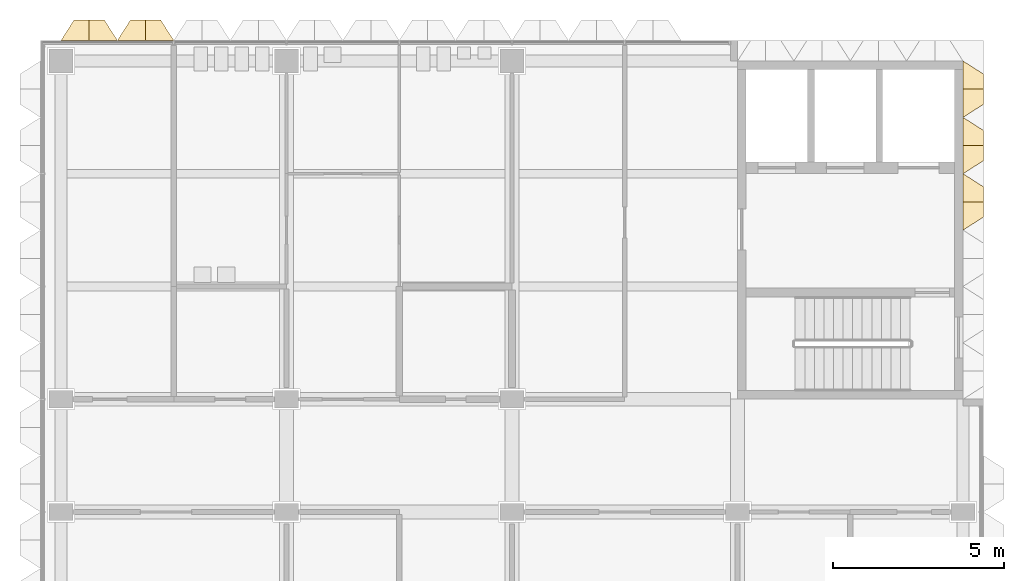
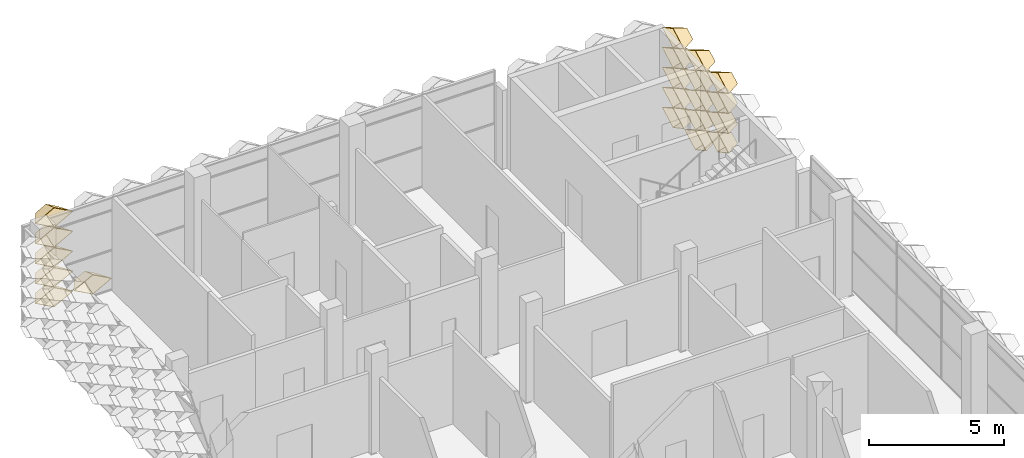
# One storey, part 24 of 29: 20 coverings.
"""IFC4 building model written with IfcOpenShell, lengths in metres."""

from ifc_helpers import new_model, entity, si_unit, direction, frame, origin, place, context, subcontext, project, spatial, material, layer, layer_set, type_object, element, save


model = new_model("IFC4")

# Units and contexts
model_context = context("Model", 3, precision=1e-05, world=origin(), true_north=direction((0.0, 1.0)))
body_context = subcontext(model_context, "Body", "Model", "MODEL_VIEW")
ifc_project = project(units=[si_unit("LENGTHUNIT", "METRE"), si_unit("AREAUNIT", "SQUARE_METRE"), si_unit("VOLUMEUNIT", "CUBIC_METRE"), si_unit("PLANEANGLEUNIT", "RADIAN"), si_unit("MASSUNIT", "GRAM", prefix="KILO")], contexts=[model_context])

# Site, building, storey
site_placement = place(None, origin())
site = spatial("IfcSite", under=ifc_project, at=site_placement, CompositionType="ELEMENT")
building_placement = place(site_placement, origin())
building = spatial("IfcBuilding", under=site, at=building_placement, Name="Lantern Court Research Institute", CompositionType="ELEMENT")
storey_placement = place(building_placement, frame((0.0, 0.0, 32.39990234375)))
storey = spatial("IfcBuildingStorey", under=building, at=storey_placement, Name="L07", CompositionType="ELEMENT", Elevation=32.39990234375)

# Coverings
ifc_material = material(Name="Anodised aluminium", Category="aluminium")
ifc_layer = layer(ifc_material, 0.01611328125)
ifc_layer_set = layer_set([ifc_layer], Name="Anodised aluminium")
covering_type = type_object("IfcCoveringType", Name="Fin cassette 1650 x 900 x 600 aluminium", PredefinedType="CLADDING", material=ifc_layer_set)
covering_1_placement = place(storey_placement, frame((79.199951171875, 20.625, 0.4501953125), z_axis=(1.0, 0.0, 0.0), x_axis=(0.0, 1.0, 0.0)))
cartesian_point_1 = entity("IfcCartesianPoint", [0.824951171875, 0.0])
cartesian_point_2 = entity("IfcCartesianPoint", [0.79150390625, 0.0])
cartesian_point_3 = entity("IfcCartesianPoint", [0.44189453125, 0.0])
cartesian_point_4 = entity("IfcCartesianPoint", [0.43359375, 0.0])
element("IfcCovering", 1, at=covering_1_placement, inside=storey, type_object=covering_type, Name="Fin cassette V5E-L07 1.13", PredefinedType="CLADDING", context=body_context, shape_type="SweptSolid", body=[
    entity("IfcExtrudedAreaSolidTapered", entity("IfcArbitraryProfileDefWithVoids", "AREA", None, entity("IfcPolyline", [cartesian_point_1, entity("IfcCartesianPoint", [0.0, 0.449951171875]), entity("IfcCartesianPoint", [-0.824951171875, 0.0]), entity("IfcCartesianPoint", [0.0, -0.449951171875]), cartesian_point_1]), [entity("IfcPolyline", [cartesian_point_2, entity("IfcCartesianPoint", [0.0, 0.431884765625]), entity("IfcCartesianPoint", [-0.79150390625, 0.0]), entity("IfcCartesianPoint", [0.0, -0.431884765625]), cartesian_point_2])]), entity("IfcAxis2Placement3D", entity("IfcCartesianPoint", [0.0, 0.0, 0.0])), entity("IfcDirection", [0.0, 0.0, 1.0]), 0.60009765625, entity("IfcArbitraryProfileDefWithVoids", "AREA", None, entity("IfcPolyline", [cartesian_point_3, entity("IfcCartesianPoint", [0.0, 0.240966796875]), entity("IfcCartesianPoint", [-0.44189453125, 0.0]), entity("IfcCartesianPoint", [0.0, -0.240966796875]), cartesian_point_3]), [entity("IfcPolyline", [cartesian_point_4, entity("IfcCartesianPoint", [0.0, 0.236572265625]), entity("IfcCartesianPoint", [-0.43359375, 0.0]), entity("IfcCartesianPoint", [0.0, -0.236572265625]), cartesian_point_4])])),
])
covering_2_placement = place(storey_placement, frame((79.199951171875, 22.27490234375, 0.4501953125), z_axis=(1.0, 0.0, 0.0), x_axis=(0.0, 1.0, 0.0)))
cartesian_point_5 = entity("IfcCartesianPoint", [0.824951171875, 0.0])
cartesian_point_6 = entity("IfcCartesianPoint", [0.79150390625, 0.0])
cartesian_point_7 = entity("IfcCartesianPoint", [0.44189453125, 0.0])
cartesian_point_8 = entity("IfcCartesianPoint", [0.43359375, 0.0])
element("IfcCovering", 2, at=covering_2_placement, inside=storey, type_object=covering_type, Name="Fin cassette V5E-L07 1.14", PredefinedType="CLADDING", context=body_context, shape_type="SweptSolid", body=[
    entity("IfcExtrudedAreaSolidTapered", entity("IfcArbitraryProfileDefWithVoids", "AREA", None, entity("IfcPolyline", [cartesian_point_5, entity("IfcCartesianPoint", [0.0, 0.449951171875]), entity("IfcCartesianPoint", [-0.824951171875, 0.0]), entity("IfcCartesianPoint", [0.0, -0.449951171875]), cartesian_point_5]), [entity("IfcPolyline", [cartesian_point_6, entity("IfcCartesianPoint", [0.0, 0.431884765625]), entity("IfcCartesianPoint", [-0.79150390625, 0.0]), entity("IfcCartesianPoint", [0.0, -0.431884765625]), cartesian_point_6])]), entity("IfcAxis2Placement3D", entity("IfcCartesianPoint", [0.0, 0.0, 0.0])), entity("IfcDirection", [0.0, 0.0, 1.0]), 0.60009765625, entity("IfcArbitraryProfileDefWithVoids", "AREA", None, entity("IfcPolyline", [cartesian_point_7, entity("IfcCartesianPoint", [0.0, 0.240966796875]), entity("IfcCartesianPoint", [-0.44189453125, 0.0]), entity("IfcCartesianPoint", [0.0, -0.240966796875]), cartesian_point_7]), [entity("IfcPolyline", [cartesian_point_8, entity("IfcCartesianPoint", [0.0, 0.236572265625]), entity("IfcCartesianPoint", [-0.43359375, 0.0]), entity("IfcCartesianPoint", [0.0, -0.236572265625]), cartesian_point_8])])),
])
covering_3_placement = place(storey_placement, frame((79.199951171875, 18.97509765625, 1.35009765625), z_axis=(1.0, 0.0, 0.0), x_axis=(0.0, 1.0, 0.0)))
cartesian_point_9 = entity("IfcCartesianPoint", [0.824951171875, 0.0])
cartesian_point_10 = entity("IfcCartesianPoint", [0.79150390625, 0.0])
cartesian_point_11 = entity("IfcCartesianPoint", [0.44189453125, 0.0])
cartesian_point_12 = entity("IfcCartesianPoint", [0.43359375, 0.0])
element("IfcCovering", 3, at=covering_3_placement, inside=storey, type_object=covering_type, Name="Fin cassette V5E-L07 2.12", PredefinedType="CLADDING", context=body_context, shape_type="SweptSolid", body=[
    entity("IfcExtrudedAreaSolidTapered", entity("IfcArbitraryProfileDefWithVoids", "AREA", None, entity("IfcPolyline", [cartesian_point_9, entity("IfcCartesianPoint", [0.0, 0.449951171875]), entity("IfcCartesianPoint", [-0.824951171875, 0.0]), entity("IfcCartesianPoint", [0.0, -0.449951171875]), cartesian_point_9]), [entity("IfcPolyline", [cartesian_point_10, entity("IfcCartesianPoint", [0.0, 0.431884765625]), entity("IfcCartesianPoint", [-0.79150390625, 0.0]), entity("IfcCartesianPoint", [0.0, -0.431884765625]), cartesian_point_10])]), entity("IfcAxis2Placement3D", entity("IfcCartesianPoint", [0.0, 0.0, 0.0])), entity("IfcDirection", [0.0, 0.0, 1.0]), 0.60009765625, entity("IfcArbitraryProfileDefWithVoids", "AREA", None, entity("IfcPolyline", [cartesian_point_11, entity("IfcCartesianPoint", [0.0, 0.240966796875]), entity("IfcCartesianPoint", [-0.44189453125, 0.0]), entity("IfcCartesianPoint", [0.0, -0.240966796875]), cartesian_point_11]), [entity("IfcPolyline", [cartesian_point_12, entity("IfcCartesianPoint", [0.0, 0.236572265625]), entity("IfcCartesianPoint", [-0.43359375, 0.0]), entity("IfcCartesianPoint", [0.0, -0.236572265625]), cartesian_point_12])])),
])
covering_4_placement = place(storey_placement, frame((79.199951171875, 20.625, 1.35009765625), z_axis=(1.0, 0.0, 0.0), x_axis=(0.0, 1.0, 0.0)))
cartesian_point_13 = entity("IfcCartesianPoint", [0.824951171875, 0.0])
cartesian_point_14 = entity("IfcCartesianPoint", [0.79150390625, 0.0])
cartesian_point_15 = entity("IfcCartesianPoint", [0.44189453125, 0.0])
cartesian_point_16 = entity("IfcCartesianPoint", [0.43359375, 0.0])
element("IfcCovering", 4, at=covering_4_placement, inside=storey, type_object=covering_type, Name="Fin cassette V5E-L07 2.13", PredefinedType="CLADDING", context=body_context, shape_type="SweptSolid", body=[
    entity("IfcExtrudedAreaSolidTapered", entity("IfcArbitraryProfileDefWithVoids", "AREA", None, entity("IfcPolyline", [cartesian_point_13, entity("IfcCartesianPoint", [0.0, 0.449951171875]), entity("IfcCartesianPoint", [-0.824951171875, 0.0]), entity("IfcCartesianPoint", [0.0, -0.449951171875]), cartesian_point_13]), [entity("IfcPolyline", [cartesian_point_14, entity("IfcCartesianPoint", [0.0, 0.431884765625]), entity("IfcCartesianPoint", [-0.79150390625, 0.0]), entity("IfcCartesianPoint", [0.0, -0.431884765625]), cartesian_point_14])]), entity("IfcAxis2Placement3D", entity("IfcCartesianPoint", [0.0, 0.0, 0.0])), entity("IfcDirection", [0.0, 0.0, 1.0]), 0.60009765625, entity("IfcArbitraryProfileDefWithVoids", "AREA", None, entity("IfcPolyline", [cartesian_point_15, entity("IfcCartesianPoint", [0.0, 0.240966796875]), entity("IfcCartesianPoint", [-0.44189453125, 0.0]), entity("IfcCartesianPoint", [0.0, -0.240966796875]), cartesian_point_15]), [entity("IfcPolyline", [cartesian_point_16, entity("IfcCartesianPoint", [0.0, 0.236572265625]), entity("IfcCartesianPoint", [-0.43359375, 0.0]), entity("IfcCartesianPoint", [0.0, -0.236572265625]), cartesian_point_16])])),
])
covering_5_placement = place(storey_placement, frame((79.199951171875, 22.27490234375, 1.35009765625), z_axis=(1.0, 0.0, 0.0), x_axis=(0.0, 1.0, 0.0)))
cartesian_point_17 = entity("IfcCartesianPoint", [0.824951171875, 0.0])
cartesian_point_18 = entity("IfcCartesianPoint", [0.79150390625, 0.0])
cartesian_point_19 = entity("IfcCartesianPoint", [0.44189453125, 0.0])
cartesian_point_20 = entity("IfcCartesianPoint", [0.43359375, 0.0])
element("IfcCovering", 5, at=covering_5_placement, inside=storey, type_object=covering_type, Name="Fin cassette V5E-L07 2.14", PredefinedType="CLADDING", context=body_context, shape_type="SweptSolid", body=[
    entity("IfcExtrudedAreaSolidTapered", entity("IfcArbitraryProfileDefWithVoids", "AREA", None, entity("IfcPolyline", [cartesian_point_17, entity("IfcCartesianPoint", [0.0, 0.449951171875]), entity("IfcCartesianPoint", [-0.824951171875, 0.0]), entity("IfcCartesianPoint", [0.0, -0.449951171875]), cartesian_point_17]), [entity("IfcPolyline", [cartesian_point_18, entity("IfcCartesianPoint", [0.0, 0.431884765625]), entity("IfcCartesianPoint", [-0.79150390625, 0.0]), entity("IfcCartesianPoint", [0.0, -0.431884765625]), cartesian_point_18])]), entity("IfcAxis2Placement3D", entity("IfcCartesianPoint", [0.0, 0.0, 0.0])), entity("IfcDirection", [0.0, 0.0, 1.0]), 0.60009765625, entity("IfcArbitraryProfileDefWithVoids", "AREA", None, entity("IfcPolyline", [cartesian_point_19, entity("IfcCartesianPoint", [0.0, 0.240966796875]), entity("IfcCartesianPoint", [-0.44189453125, 0.0]), entity("IfcCartesianPoint", [0.0, -0.240966796875]), cartesian_point_19]), [entity("IfcPolyline", [cartesian_point_20, entity("IfcCartesianPoint", [0.0, 0.236572265625]), entity("IfcCartesianPoint", [-0.43359375, 0.0]), entity("IfcCartesianPoint", [0.0, -0.236572265625]), cartesian_point_20])])),
])
covering_6_placement = place(storey_placement, frame((79.199951171875, 18.97509765625, 2.25), z_axis=(1.0, 0.0, 0.0), x_axis=(0.0, 1.0, 0.0)))
cartesian_point_21 = entity("IfcCartesianPoint", [0.824951171875, 0.0])
cartesian_point_22 = entity("IfcCartesianPoint", [0.79150390625, 0.0])
cartesian_point_23 = entity("IfcCartesianPoint", [0.44189453125, 0.0])
cartesian_point_24 = entity("IfcCartesianPoint", [0.43359375, 0.0])
element("IfcCovering", 6, at=covering_6_placement, inside=storey, type_object=covering_type, Name="Fin cassette V5E-L07 3.12", PredefinedType="CLADDING", context=body_context, shape_type="SweptSolid", body=[
    entity("IfcExtrudedAreaSolidTapered", entity("IfcArbitraryProfileDefWithVoids", "AREA", None, entity("IfcPolyline", [cartesian_point_21, entity("IfcCartesianPoint", [0.0, 0.449951171875]), entity("IfcCartesianPoint", [-0.824951171875, 0.0]), entity("IfcCartesianPoint", [0.0, -0.449951171875]), cartesian_point_21]), [entity("IfcPolyline", [cartesian_point_22, entity("IfcCartesianPoint", [0.0, 0.431884765625]), entity("IfcCartesianPoint", [-0.79150390625, 0.0]), entity("IfcCartesianPoint", [0.0, -0.431884765625]), cartesian_point_22])]), entity("IfcAxis2Placement3D", entity("IfcCartesianPoint", [0.0, 0.0, 0.0])), entity("IfcDirection", [0.0, 0.0, 1.0]), 0.60009765625, entity("IfcArbitraryProfileDefWithVoids", "AREA", None, entity("IfcPolyline", [cartesian_point_23, entity("IfcCartesianPoint", [0.0, 0.240966796875]), entity("IfcCartesianPoint", [-0.44189453125, 0.0]), entity("IfcCartesianPoint", [0.0, -0.240966796875]), cartesian_point_23]), [entity("IfcPolyline", [cartesian_point_24, entity("IfcCartesianPoint", [0.0, 0.236572265625]), entity("IfcCartesianPoint", [-0.43359375, 0.0]), entity("IfcCartesianPoint", [0.0, -0.236572265625]), cartesian_point_24])])),
])
covering_7_placement = place(storey_placement, frame((79.199951171875, 20.625, 2.25), z_axis=(1.0, 0.0, 0.0), x_axis=(0.0, 1.0, 0.0)))
cartesian_point_25 = entity("IfcCartesianPoint", [0.824951171875, 0.0])
cartesian_point_26 = entity("IfcCartesianPoint", [0.79150390625, 0.0])
cartesian_point_27 = entity("IfcCartesianPoint", [0.44189453125, 0.0])
cartesian_point_28 = entity("IfcCartesianPoint", [0.43359375, 0.0])
element("IfcCovering", 7, at=covering_7_placement, inside=storey, type_object=covering_type, Name="Fin cassette V5E-L07 3.13", PredefinedType="CLADDING", context=body_context, shape_type="SweptSolid", body=[
    entity("IfcExtrudedAreaSolidTapered", entity("IfcArbitraryProfileDefWithVoids", "AREA", None, entity("IfcPolyline", [cartesian_point_25, entity("IfcCartesianPoint", [0.0, 0.449951171875]), entity("IfcCartesianPoint", [-0.824951171875, 0.0]), entity("IfcCartesianPoint", [0.0, -0.449951171875]), cartesian_point_25]), [entity("IfcPolyline", [cartesian_point_26, entity("IfcCartesianPoint", [0.0, 0.431884765625]), entity("IfcCartesianPoint", [-0.79150390625, 0.0]), entity("IfcCartesianPoint", [0.0, -0.431884765625]), cartesian_point_26])]), entity("IfcAxis2Placement3D", entity("IfcCartesianPoint", [0.0, 0.0, 0.0])), entity("IfcDirection", [0.0, 0.0, 1.0]), 0.60009765625, entity("IfcArbitraryProfileDefWithVoids", "AREA", None, entity("IfcPolyline", [cartesian_point_27, entity("IfcCartesianPoint", [0.0, 0.240966796875]), entity("IfcCartesianPoint", [-0.44189453125, 0.0]), entity("IfcCartesianPoint", [0.0, -0.240966796875]), cartesian_point_27]), [entity("IfcPolyline", [cartesian_point_28, entity("IfcCartesianPoint", [0.0, 0.236572265625]), entity("IfcCartesianPoint", [-0.43359375, 0.0]), entity("IfcCartesianPoint", [0.0, -0.236572265625]), cartesian_point_28])])),
])
covering_8_placement = place(storey_placement, frame((79.199951171875, 22.27490234375, 2.25), z_axis=(1.0, 0.0, 0.0), x_axis=(0.0, 1.0, 0.0)))
cartesian_point_29 = entity("IfcCartesianPoint", [0.824951171875, 0.0])
cartesian_point_30 = entity("IfcCartesianPoint", [0.79150390625, 0.0])
cartesian_point_31 = entity("IfcCartesianPoint", [0.44189453125, 0.0])
cartesian_point_32 = entity("IfcCartesianPoint", [0.43359375, 0.0])
element("IfcCovering", 8, at=covering_8_placement, inside=storey, type_object=covering_type, Name="Fin cassette V5E-L07 3.14", PredefinedType="CLADDING", context=body_context, shape_type="SweptSolid", body=[
    entity("IfcExtrudedAreaSolidTapered", entity("IfcArbitraryProfileDefWithVoids", "AREA", None, entity("IfcPolyline", [cartesian_point_29, entity("IfcCartesianPoint", [0.0, 0.449951171875]), entity("IfcCartesianPoint", [-0.824951171875, 0.0]), entity("IfcCartesianPoint", [0.0, -0.449951171875]), cartesian_point_29]), [entity("IfcPolyline", [cartesian_point_30, entity("IfcCartesianPoint", [0.0, 0.431884765625]), entity("IfcCartesianPoint", [-0.79150390625, 0.0]), entity("IfcCartesianPoint", [0.0, -0.431884765625]), cartesian_point_30])]), entity("IfcAxis2Placement3D", entity("IfcCartesianPoint", [0.0, 0.0, 0.0])), entity("IfcDirection", [0.0, 0.0, 1.0]), 0.60009765625, entity("IfcArbitraryProfileDefWithVoids", "AREA", None, entity("IfcPolyline", [cartesian_point_31, entity("IfcCartesianPoint", [0.0, 0.240966796875]), entity("IfcCartesianPoint", [-0.44189453125, 0.0]), entity("IfcCartesianPoint", [0.0, -0.240966796875]), cartesian_point_31]), [entity("IfcPolyline", [cartesian_point_32, entity("IfcCartesianPoint", [0.0, 0.236572265625]), entity("IfcCartesianPoint", [-0.43359375, 0.0]), entity("IfcCartesianPoint", [0.0, -0.236572265625]), cartesian_point_32])])),
])
covering_9_placement = place(storey_placement, frame((79.199951171875, 18.97509765625, 3.150146484375), z_axis=(1.0, 0.0, 0.0), x_axis=(0.0, 1.0, 0.0)))
cartesian_point_33 = entity("IfcCartesianPoint", [0.824951171875, 0.0])
cartesian_point_34 = entity("IfcCartesianPoint", [0.79150390625, 0.0])
cartesian_point_35 = entity("IfcCartesianPoint", [0.44189453125, 0.0])
cartesian_point_36 = entity("IfcCartesianPoint", [0.43359375, 0.0])
element("IfcCovering", 9, at=covering_9_placement, inside=storey, type_object=covering_type, Name="Fin cassette V5E-L07 4.12", PredefinedType="CLADDING", context=body_context, shape_type="SweptSolid", body=[
    entity("IfcExtrudedAreaSolidTapered", entity("IfcArbitraryProfileDefWithVoids", "AREA", None, entity("IfcPolyline", [cartesian_point_33, entity("IfcCartesianPoint", [0.0, 0.449951171875]), entity("IfcCartesianPoint", [-0.824951171875, 0.0]), entity("IfcCartesianPoint", [0.0, -0.449951171875]), cartesian_point_33]), [entity("IfcPolyline", [cartesian_point_34, entity("IfcCartesianPoint", [0.0, 0.431884765625]), entity("IfcCartesianPoint", [-0.79150390625, 0.0]), entity("IfcCartesianPoint", [0.0, -0.431884765625]), cartesian_point_34])]), entity("IfcAxis2Placement3D", entity("IfcCartesianPoint", [0.0, 0.0, 0.0])), entity("IfcDirection", [0.0, 0.0, 1.0]), 0.60009765625, entity("IfcArbitraryProfileDefWithVoids", "AREA", None, entity("IfcPolyline", [cartesian_point_35, entity("IfcCartesianPoint", [0.0, 0.240966796875]), entity("IfcCartesianPoint", [-0.44189453125, 0.0]), entity("IfcCartesianPoint", [0.0, -0.240966796875]), cartesian_point_35]), [entity("IfcPolyline", [cartesian_point_36, entity("IfcCartesianPoint", [0.0, 0.236572265625]), entity("IfcCartesianPoint", [-0.43359375, 0.0]), entity("IfcCartesianPoint", [0.0, -0.236572265625]), cartesian_point_36])])),
])
covering_10_placement = place(storey_placement, frame((79.199951171875, 20.625, 3.150146484375), z_axis=(1.0, 0.0, 0.0), x_axis=(0.0, 1.0, 0.0)))
cartesian_point_37 = entity("IfcCartesianPoint", [0.824951171875, 0.0])
cartesian_point_38 = entity("IfcCartesianPoint", [0.79150390625, 0.0])
cartesian_point_39 = entity("IfcCartesianPoint", [0.44189453125, 0.0])
cartesian_point_40 = entity("IfcCartesianPoint", [0.43359375, 0.0])
element("IfcCovering", 10, at=covering_10_placement, inside=storey, type_object=covering_type, Name="Fin cassette V5E-L07 4.13", PredefinedType="CLADDING", context=body_context, shape_type="SweptSolid", body=[
    entity("IfcExtrudedAreaSolidTapered", entity("IfcArbitraryProfileDefWithVoids", "AREA", None, entity("IfcPolyline", [cartesian_point_37, entity("IfcCartesianPoint", [0.0, 0.449951171875]), entity("IfcCartesianPoint", [-0.824951171875, 0.0]), entity("IfcCartesianPoint", [0.0, -0.449951171875]), cartesian_point_37]), [entity("IfcPolyline", [cartesian_point_38, entity("IfcCartesianPoint", [0.0, 0.431884765625]), entity("IfcCartesianPoint", [-0.79150390625, 0.0]), entity("IfcCartesianPoint", [0.0, -0.431884765625]), cartesian_point_38])]), entity("IfcAxis2Placement3D", entity("IfcCartesianPoint", [0.0, 0.0, 0.0])), entity("IfcDirection", [0.0, 0.0, 1.0]), 0.60009765625, entity("IfcArbitraryProfileDefWithVoids", "AREA", None, entity("IfcPolyline", [cartesian_point_39, entity("IfcCartesianPoint", [0.0, 0.240966796875]), entity("IfcCartesianPoint", [-0.44189453125, 0.0]), entity("IfcCartesianPoint", [0.0, -0.240966796875]), cartesian_point_39]), [entity("IfcPolyline", [cartesian_point_40, entity("IfcCartesianPoint", [0.0, 0.236572265625]), entity("IfcCartesianPoint", [-0.43359375, 0.0]), entity("IfcCartesianPoint", [0.0, -0.236572265625]), cartesian_point_40])])),
])
covering_11_placement = place(storey_placement, frame((79.199951171875, 22.27490234375, 3.150146484375), z_axis=(1.0, 0.0, 0.0), x_axis=(0.0, 1.0, 0.0)))
cartesian_point_41 = entity("IfcCartesianPoint", [0.824951171875, 0.0])
cartesian_point_42 = entity("IfcCartesianPoint", [0.79150390625, 0.0])
cartesian_point_43 = entity("IfcCartesianPoint", [0.44189453125, 0.0])
cartesian_point_44 = entity("IfcCartesianPoint", [0.43359375, 0.0])
element("IfcCovering", 11, at=covering_11_placement, inside=storey, type_object=covering_type, Name="Fin cassette V5E-L07 4.14", PredefinedType="CLADDING", context=body_context, shape_type="SweptSolid", body=[
    entity("IfcExtrudedAreaSolidTapered", entity("IfcArbitraryProfileDefWithVoids", "AREA", None, entity("IfcPolyline", [cartesian_point_41, entity("IfcCartesianPoint", [0.0, 0.449951171875]), entity("IfcCartesianPoint", [-0.824951171875, 0.0]), entity("IfcCartesianPoint", [0.0, -0.449951171875]), cartesian_point_41]), [entity("IfcPolyline", [cartesian_point_42, entity("IfcCartesianPoint", [0.0, 0.431884765625]), entity("IfcCartesianPoint", [-0.79150390625, 0.0]), entity("IfcCartesianPoint", [0.0, -0.431884765625]), cartesian_point_42])]), entity("IfcAxis2Placement3D", entity("IfcCartesianPoint", [0.0, 0.0, 0.0])), entity("IfcDirection", [0.0, 0.0, 1.0]), 0.60009765625, entity("IfcArbitraryProfileDefWithVoids", "AREA", None, entity("IfcPolyline", [cartesian_point_43, entity("IfcCartesianPoint", [0.0, 0.240966796875]), entity("IfcCartesianPoint", [-0.44189453125, 0.0]), entity("IfcCartesianPoint", [0.0, -0.240966796875]), cartesian_point_43]), [entity("IfcPolyline", [cartesian_point_44, entity("IfcCartesianPoint", [0.0, 0.236572265625]), entity("IfcCartesianPoint", [-0.43359375, 0.0]), entity("IfcCartesianPoint", [0.0, -0.236572265625]), cartesian_point_44])])),
])
covering_12_placement = place(storey_placement, frame((79.199951171875, 18.97509765625, 4.050048828125), z_axis=(1.0, 0.0, 0.0), x_axis=(0.0, 1.0, 0.0)))
cartesian_point_45 = entity("IfcCartesianPoint", [0.824951171875, 0.0])
cartesian_point_46 = entity("IfcCartesianPoint", [0.79150390625, 0.0])
cartesian_point_47 = entity("IfcCartesianPoint", [0.44189453125, 0.0])
cartesian_point_48 = entity("IfcCartesianPoint", [0.43359375, 0.0])
element("IfcCovering", 12, at=covering_12_placement, inside=storey, type_object=covering_type, Name="Fin cassette V5E-L07 5.12", PredefinedType="CLADDING", context=body_context, shape_type="SweptSolid", body=[
    entity("IfcExtrudedAreaSolidTapered", entity("IfcArbitraryProfileDefWithVoids", "AREA", None, entity("IfcPolyline", [cartesian_point_45, entity("IfcCartesianPoint", [0.0, 0.449951171875]), entity("IfcCartesianPoint", [-0.824951171875, 0.0]), entity("IfcCartesianPoint", [0.0, -0.449951171875]), cartesian_point_45]), [entity("IfcPolyline", [cartesian_point_46, entity("IfcCartesianPoint", [0.0, 0.431884765625]), entity("IfcCartesianPoint", [-0.79150390625, 0.0]), entity("IfcCartesianPoint", [0.0, -0.431884765625]), cartesian_point_46])]), entity("IfcAxis2Placement3D", entity("IfcCartesianPoint", [0.0, 0.0, 0.0])), entity("IfcDirection", [0.0, 0.0, 1.0]), 0.60009765625, entity("IfcArbitraryProfileDefWithVoids", "AREA", None, entity("IfcPolyline", [cartesian_point_47, entity("IfcCartesianPoint", [0.0, 0.240966796875]), entity("IfcCartesianPoint", [-0.44189453125, 0.0]), entity("IfcCartesianPoint", [0.0, -0.240966796875]), cartesian_point_47]), [entity("IfcPolyline", [cartesian_point_48, entity("IfcCartesianPoint", [0.0, 0.236572265625]), entity("IfcCartesianPoint", [-0.43359375, 0.0]), entity("IfcCartesianPoint", [0.0, -0.236572265625]), cartesian_point_48])])),
])
covering_13_placement = place(storey_placement, frame((79.199951171875, 20.625, 4.050048828125), z_axis=(1.0, 0.0, 0.0), x_axis=(0.0, 1.0, 0.0)))
cartesian_point_49 = entity("IfcCartesianPoint", [0.824951171875, 0.0])
cartesian_point_50 = entity("IfcCartesianPoint", [0.79150390625, 0.0])
cartesian_point_51 = entity("IfcCartesianPoint", [0.44189453125, 0.0])
cartesian_point_52 = entity("IfcCartesianPoint", [0.43359375, 0.0])
element("IfcCovering", 13, at=covering_13_placement, inside=storey, type_object=covering_type, Name="Fin cassette V5E-L07 5.13", PredefinedType="CLADDING", context=body_context, shape_type="SweptSolid", body=[
    entity("IfcExtrudedAreaSolidTapered", entity("IfcArbitraryProfileDefWithVoids", "AREA", None, entity("IfcPolyline", [cartesian_point_49, entity("IfcCartesianPoint", [0.0, 0.449951171875]), entity("IfcCartesianPoint", [-0.824951171875, 0.0]), entity("IfcCartesianPoint", [0.0, -0.449951171875]), cartesian_point_49]), [entity("IfcPolyline", [cartesian_point_50, entity("IfcCartesianPoint", [0.0, 0.431884765625]), entity("IfcCartesianPoint", [-0.79150390625, 0.0]), entity("IfcCartesianPoint", [0.0, -0.431884765625]), cartesian_point_50])]), entity("IfcAxis2Placement3D", entity("IfcCartesianPoint", [0.0, 0.0, 0.0])), entity("IfcDirection", [0.0, 0.0, 1.0]), 0.60009765625, entity("IfcArbitraryProfileDefWithVoids", "AREA", None, entity("IfcPolyline", [cartesian_point_51, entity("IfcCartesianPoint", [0.0, 0.240966796875]), entity("IfcCartesianPoint", [-0.44189453125, 0.0]), entity("IfcCartesianPoint", [0.0, -0.240966796875]), cartesian_point_51]), [entity("IfcPolyline", [cartesian_point_52, entity("IfcCartesianPoint", [0.0, 0.236572265625]), entity("IfcCartesianPoint", [-0.43359375, 0.0]), entity("IfcCartesianPoint", [0.0, -0.236572265625]), cartesian_point_52])])),
])
covering_14_placement = place(storey_placement, frame((79.199951171875, 22.27490234375, 4.050048828125), z_axis=(1.0, 0.0, 0.0), x_axis=(0.0, 1.0, 0.0)))
cartesian_point_53 = entity("IfcCartesianPoint", [0.824951171875, 0.0])
cartesian_point_54 = entity("IfcCartesianPoint", [0.79150390625, 0.0])
cartesian_point_55 = entity("IfcCartesianPoint", [0.44189453125, 0.0])
cartesian_point_56 = entity("IfcCartesianPoint", [0.43359375, 0.0])
element("IfcCovering", 14, at=covering_14_placement, inside=storey, type_object=covering_type, Name="Fin cassette V5E-L07 5.14", PredefinedType="CLADDING", context=body_context, shape_type="SweptSolid", body=[
    entity("IfcExtrudedAreaSolidTapered", entity("IfcArbitraryProfileDefWithVoids", "AREA", None, entity("IfcPolyline", [cartesian_point_53, entity("IfcCartesianPoint", [0.0, 0.449951171875]), entity("IfcCartesianPoint", [-0.824951171875, 0.0]), entity("IfcCartesianPoint", [0.0, -0.449951171875]), cartesian_point_53]), [entity("IfcPolyline", [cartesian_point_54, entity("IfcCartesianPoint", [0.0, 0.431884765625]), entity("IfcCartesianPoint", [-0.79150390625, 0.0]), entity("IfcCartesianPoint", [0.0, -0.431884765625]), cartesian_point_54])]), entity("IfcAxis2Placement3D", entity("IfcCartesianPoint", [0.0, 0.0, 0.0])), entity("IfcDirection", [0.0, 0.0, 1.0]), 0.60009765625, entity("IfcArbitraryProfileDefWithVoids", "AREA", None, entity("IfcPolyline", [cartesian_point_55, entity("IfcCartesianPoint", [0.0, 0.240966796875]), entity("IfcCartesianPoint", [-0.44189453125, 0.0]), entity("IfcCartesianPoint", [0.0, -0.240966796875]), cartesian_point_55]), [entity("IfcPolyline", [cartesian_point_56, entity("IfcCartesianPoint", [0.0, 0.236572265625]), entity("IfcCartesianPoint", [-0.43359375, 0.0]), entity("IfcCartesianPoint", [0.0, -0.236572265625]), cartesian_point_56])])),
])
covering_15_placement = place(storey_placement, frame((53.625, 23.699951171875, 0.4501953125), z_axis=(0.0, 1.0, 0.0), x_axis=(-1.0, 0.0, 0.0)))
cartesian_point_57 = entity("IfcCartesianPoint", [0.824951171875, 0.0])
cartesian_point_58 = entity("IfcCartesianPoint", [0.79150390625, 0.0])
cartesian_point_59 = entity("IfcCartesianPoint", [0.44189453125, 0.0])
cartesian_point_60 = entity("IfcCartesianPoint", [0.43359375, 0.0])
element("IfcCovering", 15, at=covering_15_placement, inside=storey, type_object=covering_type, Name="Fin cassette V5N-L07 1.33", PredefinedType="CLADDING", context=body_context, shape_type="SweptSolid", body=[
    entity("IfcExtrudedAreaSolidTapered", entity("IfcArbitraryProfileDefWithVoids", "AREA", None, entity("IfcPolyline", [cartesian_point_57, entity("IfcCartesianPoint", [0.0, 0.449951171875]), entity("IfcCartesianPoint", [-0.824951171875, 0.0]), entity("IfcCartesianPoint", [0.0, -0.449951171875]), cartesian_point_57]), [entity("IfcPolyline", [cartesian_point_58, entity("IfcCartesianPoint", [0.0, 0.431884765625]), entity("IfcCartesianPoint", [-0.79150390625, 0.0]), entity("IfcCartesianPoint", [0.0, -0.431884765625]), cartesian_point_58])]), entity("IfcAxis2Placement3D", entity("IfcCartesianPoint", [0.0, 0.0, 0.0])), entity("IfcDirection", [0.0, 0.0, 1.0]), 0.60009765625, entity("IfcArbitraryProfileDefWithVoids", "AREA", None, entity("IfcPolyline", [cartesian_point_59, entity("IfcCartesianPoint", [0.0, 0.240966796875]), entity("IfcCartesianPoint", [-0.44189453125, 0.0]), entity("IfcCartesianPoint", [0.0, -0.240966796875]), cartesian_point_59]), [entity("IfcPolyline", [cartesian_point_60, entity("IfcCartesianPoint", [0.0, 0.236572265625]), entity("IfcCartesianPoint", [-0.43359375, 0.0]), entity("IfcCartesianPoint", [0.0, -0.236572265625]), cartesian_point_60])])),
])
covering_16_placement = place(storey_placement, frame((55.27490234375, 23.699951171875, 0.4501953125), z_axis=(0.0, 1.0, 0.0), x_axis=(-1.0, 0.0, 0.0)))
cartesian_point_61 = entity("IfcCartesianPoint", [0.824951171875, 0.0])
cartesian_point_62 = entity("IfcCartesianPoint", [0.79150390625, 0.0])
cartesian_point_63 = entity("IfcCartesianPoint", [0.44189453125, 0.0])
cartesian_point_64 = entity("IfcCartesianPoint", [0.43359375, 0.0])
element("IfcCovering", 16, at=covering_16_placement, inside=storey, type_object=covering_type, Name="Fin cassette V5N-L07 1.34", PredefinedType="CLADDING", context=body_context, shape_type="SweptSolid", body=[
    entity("IfcExtrudedAreaSolidTapered", entity("IfcArbitraryProfileDefWithVoids", "AREA", None, entity("IfcPolyline", [cartesian_point_61, entity("IfcCartesianPoint", [0.0, 0.449951171875]), entity("IfcCartesianPoint", [-0.824951171875, 0.0]), entity("IfcCartesianPoint", [0.0, -0.449951171875]), cartesian_point_61]), [entity("IfcPolyline", [cartesian_point_62, entity("IfcCartesianPoint", [0.0, 0.431884765625]), entity("IfcCartesianPoint", [-0.79150390625, 0.0]), entity("IfcCartesianPoint", [0.0, -0.431884765625]), cartesian_point_62])]), entity("IfcAxis2Placement3D", entity("IfcCartesianPoint", [0.0, 0.0, 0.0])), entity("IfcDirection", [0.0, 0.0, 1.0]), 0.60009765625, entity("IfcArbitraryProfileDefWithVoids", "AREA", None, entity("IfcPolyline", [cartesian_point_63, entity("IfcCartesianPoint", [0.0, 0.240966796875]), entity("IfcCartesianPoint", [-0.44189453125, 0.0]), entity("IfcCartesianPoint", [0.0, -0.240966796875]), cartesian_point_63]), [entity("IfcPolyline", [cartesian_point_64, entity("IfcCartesianPoint", [0.0, 0.236572265625]), entity("IfcCartesianPoint", [-0.43359375, 0.0]), entity("IfcCartesianPoint", [0.0, -0.236572265625]), cartesian_point_64])])),
])
covering_17_placement = place(storey_placement, frame((53.625, 23.699951171875, 1.35009765625), z_axis=(0.0, 1.0, 0.0), x_axis=(-1.0, 0.0, 0.0)))
cartesian_point_65 = entity("IfcCartesianPoint", [0.824951171875, 0.0])
cartesian_point_66 = entity("IfcCartesianPoint", [0.79150390625, 0.0])
cartesian_point_67 = entity("IfcCartesianPoint", [0.44189453125, 0.0])
cartesian_point_68 = entity("IfcCartesianPoint", [0.43359375, 0.0])
element("IfcCovering", 17, at=covering_17_placement, inside=storey, type_object=covering_type, Name="Fin cassette V5N-L07 2.33", PredefinedType="CLADDING", context=body_context, shape_type="SweptSolid", body=[
    entity("IfcExtrudedAreaSolidTapered", entity("IfcArbitraryProfileDefWithVoids", "AREA", None, entity("IfcPolyline", [cartesian_point_65, entity("IfcCartesianPoint", [0.0, 0.449951171875]), entity("IfcCartesianPoint", [-0.824951171875, 0.0]), entity("IfcCartesianPoint", [0.0, -0.449951171875]), cartesian_point_65]), [entity("IfcPolyline", [cartesian_point_66, entity("IfcCartesianPoint", [0.0, 0.431884765625]), entity("IfcCartesianPoint", [-0.79150390625, 0.0]), entity("IfcCartesianPoint", [0.0, -0.431884765625]), cartesian_point_66])]), entity("IfcAxis2Placement3D", entity("IfcCartesianPoint", [0.0, 0.0, 0.0])), entity("IfcDirection", [0.0, 0.0, 1.0]), 0.60009765625, entity("IfcArbitraryProfileDefWithVoids", "AREA", None, entity("IfcPolyline", [cartesian_point_67, entity("IfcCartesianPoint", [0.0, 0.240966796875]), entity("IfcCartesianPoint", [-0.44189453125, 0.0]), entity("IfcCartesianPoint", [0.0, -0.240966796875]), cartesian_point_67]), [entity("IfcPolyline", [cartesian_point_68, entity("IfcCartesianPoint", [0.0, 0.236572265625]), entity("IfcCartesianPoint", [-0.43359375, 0.0]), entity("IfcCartesianPoint", [0.0, -0.236572265625]), cartesian_point_68])])),
])
covering_18_placement = place(storey_placement, frame((53.625, 23.699951171875, 2.25), z_axis=(0.0, 1.0, 0.0), x_axis=(-1.0, 0.0, 0.0)))
cartesian_point_69 = entity("IfcCartesianPoint", [0.824951171875, 0.0])
cartesian_point_70 = entity("IfcCartesianPoint", [0.79150390625, 0.0])
cartesian_point_71 = entity("IfcCartesianPoint", [0.44189453125, 0.0])
cartesian_point_72 = entity("IfcCartesianPoint", [0.43359375, 0.0])
element("IfcCovering", 18, at=covering_18_placement, inside=storey, type_object=covering_type, Name="Fin cassette V5N-L07 3.33", PredefinedType="CLADDING", context=body_context, shape_type="SweptSolid", body=[
    entity("IfcExtrudedAreaSolidTapered", entity("IfcArbitraryProfileDefWithVoids", "AREA", None, entity("IfcPolyline", [cartesian_point_69, entity("IfcCartesianPoint", [0.0, 0.449951171875]), entity("IfcCartesianPoint", [-0.824951171875, 0.0]), entity("IfcCartesianPoint", [0.0, -0.449951171875]), cartesian_point_69]), [entity("IfcPolyline", [cartesian_point_70, entity("IfcCartesianPoint", [0.0, 0.431884765625]), entity("IfcCartesianPoint", [-0.79150390625, 0.0]), entity("IfcCartesianPoint", [0.0, -0.431884765625]), cartesian_point_70])]), entity("IfcAxis2Placement3D", entity("IfcCartesianPoint", [0.0, 0.0, 0.0])), entity("IfcDirection", [0.0, 0.0, 1.0]), 0.60009765625, entity("IfcArbitraryProfileDefWithVoids", "AREA", None, entity("IfcPolyline", [cartesian_point_71, entity("IfcCartesianPoint", [0.0, 0.240966796875]), entity("IfcCartesianPoint", [-0.44189453125, 0.0]), entity("IfcCartesianPoint", [0.0, -0.240966796875]), cartesian_point_71]), [entity("IfcPolyline", [cartesian_point_72, entity("IfcCartesianPoint", [0.0, 0.236572265625]), entity("IfcCartesianPoint", [-0.43359375, 0.0]), entity("IfcCartesianPoint", [0.0, -0.236572265625]), cartesian_point_72])])),
])
covering_19_placement = place(storey_placement, frame((53.625, 23.699951171875, 3.150146484375), z_axis=(0.0, 1.0, 0.0), x_axis=(-1.0, 0.0, 0.0)))
cartesian_point_73 = entity("IfcCartesianPoint", [0.824951171875, 0.0])
cartesian_point_74 = entity("IfcCartesianPoint", [0.79150390625, 0.0])
cartesian_point_75 = entity("IfcCartesianPoint", [0.44189453125, 0.0])
cartesian_point_76 = entity("IfcCartesianPoint", [0.43359375, 0.0])
element("IfcCovering", 19, at=covering_19_placement, inside=storey, type_object=covering_type, Name="Fin cassette V5N-L07 4.33", PredefinedType="CLADDING", context=body_context, shape_type="SweptSolid", body=[
    entity("IfcExtrudedAreaSolidTapered", entity("IfcArbitraryProfileDefWithVoids", "AREA", None, entity("IfcPolyline", [cartesian_point_73, entity("IfcCartesianPoint", [0.0, 0.449951171875]), entity("IfcCartesianPoint", [-0.824951171875, 0.0]), entity("IfcCartesianPoint", [0.0, -0.449951171875]), cartesian_point_73]), [entity("IfcPolyline", [cartesian_point_74, entity("IfcCartesianPoint", [0.0, 0.431884765625]), entity("IfcCartesianPoint", [-0.79150390625, 0.0]), entity("IfcCartesianPoint", [0.0, -0.431884765625]), cartesian_point_74])]), entity("IfcAxis2Placement3D", entity("IfcCartesianPoint", [0.0, 0.0, 0.0])), entity("IfcDirection", [0.0, 0.0, 1.0]), 0.60009765625, entity("IfcArbitraryProfileDefWithVoids", "AREA", None, entity("IfcPolyline", [cartesian_point_75, entity("IfcCartesianPoint", [0.0, 0.240966796875]), entity("IfcCartesianPoint", [-0.44189453125, 0.0]), entity("IfcCartesianPoint", [0.0, -0.240966796875]), cartesian_point_75]), [entity("IfcPolyline", [cartesian_point_76, entity("IfcCartesianPoint", [0.0, 0.236572265625]), entity("IfcCartesianPoint", [-0.43359375, 0.0]), entity("IfcCartesianPoint", [0.0, -0.236572265625]), cartesian_point_76])])),
])
covering_20_placement = place(storey_placement, frame((53.625, 23.699951171875, 4.050048828125), z_axis=(0.0, 1.0, 0.0), x_axis=(-1.0, 0.0, 0.0)))
cartesian_point_77 = entity("IfcCartesianPoint", [0.824951171875, 0.0])
cartesian_point_78 = entity("IfcCartesianPoint", [0.79150390625, 0.0])
cartesian_point_79 = entity("IfcCartesianPoint", [0.44189453125, 0.0])
cartesian_point_80 = entity("IfcCartesianPoint", [0.43359375, 0.0])
element("IfcCovering", 20, at=covering_20_placement, inside=storey, type_object=covering_type, Name="Fin cassette V5N-L07 5.33", PredefinedType="CLADDING", context=body_context, shape_type="SweptSolid", body=[
    entity("IfcExtrudedAreaSolidTapered", entity("IfcArbitraryProfileDefWithVoids", "AREA", None, entity("IfcPolyline", [cartesian_point_77, entity("IfcCartesianPoint", [0.0, 0.449951171875]), entity("IfcCartesianPoint", [-0.824951171875, 0.0]), entity("IfcCartesianPoint", [0.0, -0.449951171875]), cartesian_point_77]), [entity("IfcPolyline", [cartesian_point_78, entity("IfcCartesianPoint", [0.0, 0.431884765625]), entity("IfcCartesianPoint", [-0.79150390625, 0.0]), entity("IfcCartesianPoint", [0.0, -0.431884765625]), cartesian_point_78])]), entity("IfcAxis2Placement3D", entity("IfcCartesianPoint", [0.0, 0.0, 0.0])), entity("IfcDirection", [0.0, 0.0, 1.0]), 0.60009765625, entity("IfcArbitraryProfileDefWithVoids", "AREA", None, entity("IfcPolyline", [cartesian_point_79, entity("IfcCartesianPoint", [0.0, 0.240966796875]), entity("IfcCartesianPoint", [-0.44189453125, 0.0]), entity("IfcCartesianPoint", [0.0, -0.240966796875]), cartesian_point_79]), [entity("IfcPolyline", [cartesian_point_80, entity("IfcCartesianPoint", [0.0, 0.236572265625]), entity("IfcCartesianPoint", [-0.43359375, 0.0]), entity("IfcCartesianPoint", [0.0, -0.236572265625]), cartesian_point_80])])),
])

save(model, "model.ifc")
